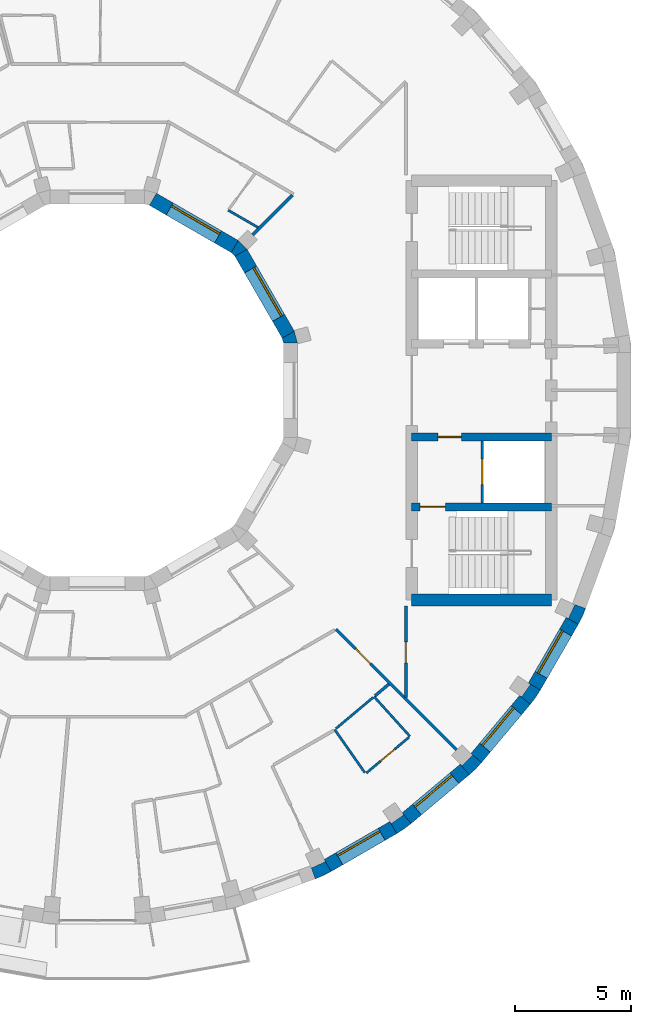
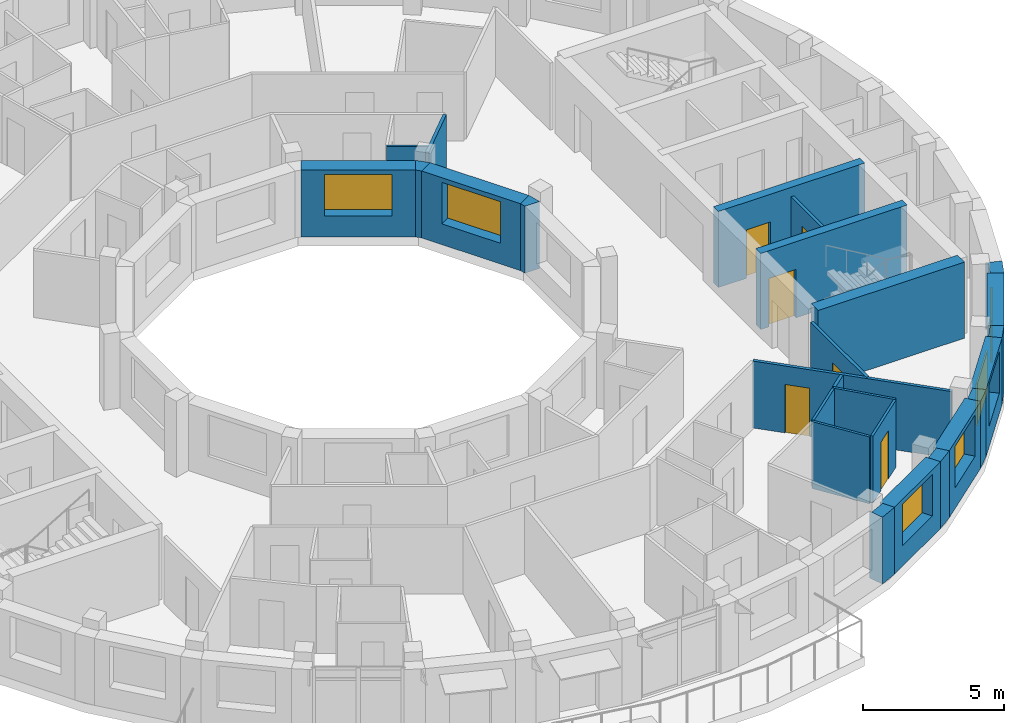
# One storey, part 7 of 12: 26 walls, 6 doors, 6 windows, 12 openings.
"""IFC4 building model written with IfcOpenShell, lengths in metres."""

from ifc_helpers import new_model, si_unit, direction, frame, frame_2d, origin, place, context, subcontext, project, spatial, polyline, rectangle, outline, extrude, material, layer, layer_set, type_object, element, fill, save


model = new_model("IFC4")

# Units and contexts
model_context = context("Model", 3, precision=1e-05, world=origin(), true_north=direction((0.0, 1.0)))
body_context = subcontext(model_context, "Body", "Model", "MODEL_VIEW")
ifc_project = project(units=[si_unit("LENGTHUNIT", "METRE"), si_unit("AREAUNIT", "SQUARE_METRE"), si_unit("VOLUMEUNIT", "CUBIC_METRE"), si_unit("PLANEANGLEUNIT", "RADIAN"), si_unit("MASSUNIT", "GRAM", prefix="KILO")], contexts=[model_context])

# Site, building, storey
site_placement = place(None, origin())
site = spatial("IfcSite", under=ifc_project, at=site_placement, CompositionType="ELEMENT")
building_placement = place(site_placement, origin())
building = spatial("IfcBuilding", under=site, at=building_placement, Name="Saqina Gate Tower", CompositionType="ELEMENT")
storey_placement = place(building_placement, frame((0.0, 0.0, 272.60009765625)))
storey = spatial("IfcBuildingStorey", under=building, at=storey_placement, Name="L78", CompositionType="ELEMENT", Elevation=272.60009765625)

# Walls
ifc_material_1 = material(Name="Brick masonry (buff)", Category="masonry")
wall_type_1 = type_object("IfcWallType", Name="BRICK PIER COPING BUFF", PredefinedType="SOLIDWALL", material=ifc_material_1)
wall_1_placement = place(storey_placement, origin())
element("IfcWall", 1, at=wall_1_placement, inside=storey, type_object=wall_type_1, Name="Pier cap L78 column 30", PredefinedType="SOLIDWALL", context=body_context, shape_type="SweptSolid", body=[
    extrude(outline(polyline([(9.3642578125, -20.974609375), (10.048095703125, -20.65576171875), (9.748291015625, -20.135986328125), (9.79296875, -20.23193359375), (9.203857421875, -20.506591796875), (9.1591796875, -20.410888671875), (9.3642578125, -20.974609375)])), origin(), (0.0, 0.0, 1.0), 2.89990234375),
])
wall_2_placement = place(storey_placement, origin())
element("IfcWall", 2, at=wall_2_placement, inside=storey, type_object=wall_type_1, Name="Pier cap L78 column 31", PredefinedType="SOLIDWALL", context=body_context, shape_type="SweptSolid", body=[
    extrude(outline(polyline([(12.8642578125, -19.02978515625), (13.482421875, -18.59716796875), (13.0966796875, -18.137451171875), (13.157470703125, -18.22412109375), (12.625, -18.596923828125), (12.564208984375, -18.51025390625), (12.8642578125, -19.02978515625)])), origin(), (0.0, 0.0, 1.0), 2.89990234375),
])
wall_3_placement = place(storey_placement, origin())
element("IfcWall", 3, at=wall_3_placement, inside=storey, type_object=wall_type_1, Name="Pier cap L78 column 32", PredefinedType="SOLIDWALL", context=body_context, shape_type="SweptSolid", body=[
    extrude(outline(polyline([(16.5068359375, -15.973388671875), (16.04736328125, -15.587646484375), (16.1220703125, -15.662353515625), (15.662353515625, -16.1220703125), (15.587646484375, -16.04736328125), (15.973388671875, -16.5068359375), (16.5068359375, -15.973388671875)])), origin(), (0.0, 0.0, 1.0), 2.89990234375),
])
wall_4_placement = place(storey_placement, origin())
element("IfcWall", 4, at=wall_4_placement, inside=storey, type_object=wall_type_1, Name="Pier cap L78 column 33", PredefinedType="SOLIDWALL", context=body_context, shape_type="SweptSolid", body=[
    extrude(outline(polyline([(19.02978515625, -12.8642578125), (18.51025390625, -12.564208984375), (18.596923828125, -12.625), (18.22412109375, -13.157470703125), (18.137451171875, -13.0966796875), (18.59716796875, -13.482421875), (19.02978515625, -12.8642578125)])), origin(), (0.0, 0.0, 1.0), 2.89990234375),
])
wall_5_placement = place(storey_placement, origin())
element("IfcWall", 5, at=wall_5_placement, inside=storey, type_object=wall_type_1, Name="Pier cap L78 column 34", PredefinedType="SOLIDWALL", context=body_context, shape_type="SweptSolid", body=[
    extrude(outline(polyline([(20.65576171875, -10.048095703125), (20.974609375, -9.3642578125), (20.410888671875, -9.1591796875), (20.506591796875, -9.203857421875), (20.23193359375, -9.79296875), (20.135986328125, -9.748291015625), (20.65576171875, -10.048095703125)])), origin(), (0.0, 0.0, 1.0), 2.89990234375),
])

# Wall, opening, window
ifc_material_2 = material(Name="Brick masonry (buff)", Category="masonry")
ifc_layer_1 = layer(ifc_material_2, 0.60009765625)
ifc_layer_set_1 = layer_set([ifc_layer_1], Name="FW-BRICK-BUFF")
wall_type_2 = type_object("IfcWallType", Name="FW-BRICK-BUFF", PredefinedType="SOLIDWALL", material=ifc_layer_set_1)
wall_6_placement = place(storey_placement, frame((9.898193359375, -20.39599609375, 0.0), z_axis=(0.0, 0.0, 1.0), x_axis=(0.866016800201, 0.500014901547, 0.0)))
wall_6 = element("IfcWall", 6, at=wall_6_placement, inside=storey, type_object=wall_type_2, Name="Facade wall L78 facet 30", PredefinedType="SOLIDWALL", context=body_context, shape_type="SweptSolid", body=[
    extrude(rectangle(XDim=3.251953125, YDim=0.60009765625, at=frame_2d((1.6259765625, 0.0))), origin(), (0.0, 0.0, 1.0), 2.89990234375),
])
opening_1_placement = place(wall_6_placement, frame((0.57568359375, 0.0, 0.89990234375)))
opening_1 = element("IfcOpeningElement", 7, at=opening_1_placement, cuts=wall_6, Name="Opening G23-W19", PredefinedType="OPENING", context=body_context, shape_type="SweptSolid", body=[
    extrude(rectangle(XDim=2.10009765625, YDim=1.800048828125, at=frame_2d((1.050048828125, 0.89990234375))), frame((0.0, 0.31201171875, 0.0), z_axis=(0.0, -1.0, 0.0), x_axis=(1.0, 0.0, 0.0)), (0.0, 0.0, 1.0), 0.6240234375),
])
ifc_material_3 = material(Name="Aluminium glazing", Category="aluminium")
window_type_1 = type_object("IfcWindowType", Name="WN-D", PartitioningType="SINGLE_PANEL", PredefinedType="WINDOW", material=ifc_material_3)
window_1_placement = place(opening_1_placement, origin())
window_1 = element("IfcWindow", 8, at=window_1_placement, inside=storey, type_object=window_type_1, Name="Window L78 facet 30", OverallHeight=1.800048828125, OverallWidth=2.10009765625, PartitioningType="SINGLE_PANEL", PredefinedType="WINDOW", context=body_context, shape_type="SweptSolid", body=[
    extrude(rectangle(XDim=2.10009765625, YDim=1.800048828125, at=frame_2d((1.050048828125, 0.89990234375))), frame((0.0, 0.179931640625, 0.0), z_axis=(0.0, -1.0, 0.0), x_axis=(1.0, 0.0, 0.0)), (0.0, 0.0, 1.0), 0.06005859375),
])
fill(opening_1, window_1)

wall_7_placement = place(storey_placement, frame((13.28955078125, -18.3671875, 0.0), z_axis=(0.0, 0.0, 1.0), x_axis=(0.766056773982, 0.64277291405, 0.0)))
wall_7 = element("IfcWall", 9, at=wall_7_placement, inside=storey, type_object=wall_type_2, Name="Facade wall L78 facet 31", PredefinedType="SOLIDWALL", context=body_context, shape_type="SweptSolid", body=[
    extrude(rectangle(XDim=3.251708984375, YDim=0.60009765625, at=frame_2d((1.6259765625, 0.0))), origin(), (0.0, 0.0, 1.0), 2.89990234375),
])
opening_2_placement = place(wall_7_placement, frame((0.57568359375, 0.0, 0.89990234375)))
opening_2 = element("IfcOpeningElement", 10, at=opening_2_placement, cuts=wall_7, Name="Opening G23-W20", PredefinedType="OPENING", context=body_context, shape_type="SweptSolid", body=[
    extrude(rectangle(XDim=2.10009765625, YDim=1.800048828125, at=frame_2d((1.050048828125, 0.89990234375))), frame((0.0, 0.31201171875, 0.0), z_axis=(0.0, -1.0, 0.0), x_axis=(1.0, 0.0, 0.0)), (0.0, 0.0, 1.0), 0.6240234375),
])
window_2_placement = place(opening_2_placement, origin())
window_2 = element("IfcWindow", 11, at=window_2_placement, inside=storey, type_object=window_type_1, Name="Window L78 facet 31", OverallHeight=1.800048828125, OverallWidth=2.10009765625, PartitioningType="SINGLE_PANEL", PredefinedType="WINDOW", context=body_context, shape_type="SweptSolid", body=[
    extrude(rectangle(XDim=2.10009765625, YDim=1.800048828125, at=frame_2d((1.050048828125, 0.89990234375))), frame((0.0, 0.179931640625, 0.0), z_axis=(0.0, -1.0, 0.0), x_axis=(1.0, 0.0, 0.0)), (0.0, 0.0, 1.0), 0.06005859375),
])
fill(opening_2, window_2)

wall_8_placement = place(storey_placement, frame((16.277099609375, -15.780517578125, 0.0), z_axis=(0.0, 0.0, 1.0), x_axis=(0.64277291405, 0.766056773982, 0.0)))
wall_8 = element("IfcWall", 12, at=wall_8_placement, inside=storey, type_object=wall_type_2, Name="Facade wall L78 facet 32", PredefinedType="SOLIDWALL", context=body_context, shape_type="SweptSolid", body=[
    extrude(rectangle(XDim=3.251708984375, YDim=0.60009765625, at=frame_2d((1.6259765625, 0.0))), origin(), (0.0, 0.0, 1.0), 2.89990234375),
])
opening_3_placement = place(wall_8_placement, frame((0.57568359375, 0.0, 0.89990234375)))
opening_3 = element("IfcOpeningElement", 13, at=opening_3_placement, cuts=wall_8, Name="Opening G23-W21", PredefinedType="OPENING", context=body_context, shape_type="SweptSolid", body=[
    extrude(rectangle(XDim=2.10009765625, YDim=1.800048828125, at=frame_2d((1.050048828125, 0.89990234375))), frame((0.0, 0.31201171875, 0.0), z_axis=(0.0, -1.0, 0.0), x_axis=(1.0, 0.0, 0.0)), (0.0, 0.0, 1.0), 0.6240234375),
])
window_3_placement = place(opening_3_placement, origin())
window_3 = element("IfcWindow", 14, at=window_3_placement, inside=storey, type_object=window_type_1, Name="Window L78 facet 32", OverallHeight=1.800048828125, OverallWidth=2.10009765625, PartitioningType="SINGLE_PANEL", PredefinedType="WINDOW", context=body_context, shape_type="SweptSolid", body=[
    extrude(rectangle(XDim=2.10009765625, YDim=1.800048828125, at=frame_2d((1.050048828125, 0.89990234375))), frame((0.0, 0.179931640625, 0.0), z_axis=(0.0, -1.0, 0.0), x_axis=(1.0, 0.0, 0.0)), (0.0, 0.0, 1.0), 0.06005859375),
])
fill(opening_3, window_3)

wall_9_placement = place(storey_placement, frame((18.77001953125, -12.71435546875, 0.0), z_axis=(0.0, 0.0, 1.0), x_axis=(0.500014901547, 0.866016800201, 0.0)))
wall_9 = element("IfcWall", 15, at=wall_9_placement, inside=storey, type_object=wall_type_2, Name="Facade wall L78 facet 33", PredefinedType="SOLIDWALL", context=body_context, shape_type="SweptSolid", body=[
    extrude(rectangle(XDim=3.251953125, YDim=0.60009765625, at=frame_2d((1.6259765625, 0.0))), origin(), (0.0, 0.0, 1.0), 2.89990234375),
])
opening_4_placement = place(wall_9_placement, frame((0.57568359375, 0.0, 0.89990234375)))
opening_4 = element("IfcOpeningElement", 16, at=opening_4_placement, cuts=wall_9, Name="Opening G23-W22", PredefinedType="OPENING", context=body_context, shape_type="SweptSolid", body=[
    extrude(rectangle(XDim=2.10009765625, YDim=1.800048828125, at=frame_2d((1.050048828125, 0.89990234375))), frame((0.0, 0.31201171875, 0.0), z_axis=(0.0, -1.0, 0.0), x_axis=(1.0, 0.0, 0.0)), (0.0, 0.0, 1.0), 0.6240234375),
])
window_4_placement = place(opening_4_placement, origin())
window_4 = element("IfcWindow", 17, at=window_4_placement, inside=storey, type_object=window_type_1, Name="Window L78 facet 33", OverallHeight=1.800048828125, OverallWidth=2.10009765625, PartitioningType="SINGLE_PANEL", PredefinedType="WINDOW", context=body_context, shape_type="SweptSolid", body=[
    extrude(rectangle(XDim=2.10009765625, YDim=1.800048828125, at=frame_2d((1.050048828125, 0.89990234375))), frame((0.0, 0.179931640625, 0.0), z_axis=(0.0, -1.0, 0.0), x_axis=(1.0, 0.0, 0.0)), (0.0, 0.0, 1.0), 0.06005859375),
])
fill(opening_4, window_4)

ifc_material_4 = material(Name="Glazed ceramic tile", Category="ceramic")
ifc_layer_2 = layer(ifc_material_4, 0.60009765625)
ifc_layer_set_2 = layer_set([ifc_layer_2], Name="IW-TILE")
wall_type_3 = type_object("IfcWallType", Name="IW-TILE", PredefinedType="SOLIDWALL", material=ifc_layer_set_2)
wall_10_placement = place(storey_placement, frame((8.20263671875, 2.392578125, 0.0), z_axis=(0.0, 0.0, 1.0), x_axis=(-0.499994954979, 0.866028316509, 0.0)))
wall_10 = element("IfcWall", 18, at=wall_10_placement, inside=storey, type_object=wall_type_3, Name="Well wall L78 facet 1", PredefinedType="SOLIDWALL", context=body_context, shape_type="SweptSolid", body=[
    extrude(rectangle(XDim=4.05859375, YDim=0.60009765625, at=frame_2d((2.029296875, 0.0))), origin(), (0.0, 0.0, 1.0), 2.89990234375),
])
opening_5_placement = place(wall_10_placement, frame((0.829345703125, 0.0, 0.89990234375)))
opening_5 = element("IfcOpeningElement", 19, at=opening_5_placement, cuts=wall_10, Name="Opening G23-W23", PredefinedType="OPENING", context=body_context, shape_type="SweptSolid", body=[
    extrude(rectangle(XDim=2.39990234375, YDim=1.800048828125, at=frame_2d((1.199951171875, 0.89990234375))), frame((0.0, 0.31201171875, 0.0), z_axis=(0.0, -1.0, 0.0), x_axis=(1.0, 0.0, 0.0)), (0.0, 0.0, 1.0), 0.6240234375),
])
ifc_material_5 = material(Name="Aluminium glazing", Category="aluminium")
window_type_2 = type_object("IfcWindowType", Name="WN-W", PartitioningType="SINGLE_PANEL", PredefinedType="WINDOW", material=ifc_material_5)
window_5_placement = place(opening_5_placement, origin())
window_5 = element("IfcWindow", 20, at=window_5_placement, inside=storey, type_object=window_type_2, Name="Well window L78 facet 1", OverallHeight=1.800048828125, OverallWidth=2.39990234375, PartitioningType="SINGLE_PANEL", PredefinedType="WINDOW", context=body_context, shape_type="SweptSolid", body=[
    extrude(rectangle(XDim=2.39990234375, YDim=1.800048828125, at=frame_2d((1.199951171875, 0.89990234375))), frame((0.0, -0.119873046875, 0.0), z_axis=(0.0, -1.0, 0.0), x_axis=(1.0, 0.0, 0.0)), (0.0, 0.0, 1.0), 0.06005859375),
])
fill(opening_5, window_5)

wall_11_placement = place(storey_placement, frame((5.907470703125, 6.17333984375, 0.0), z_axis=(0.0, 0.0, 1.0), x_axis=(-0.866028316509, 0.499994954979, 0.0)))
wall_11 = element("IfcWall", 21, at=wall_11_placement, inside=storey, type_object=wall_type_3, Name="Well wall L78 facet 2", PredefinedType="SOLIDWALL", context=body_context, shape_type="SweptSolid", body=[
    extrude(rectangle(XDim=4.05859375, YDim=0.60009765625, at=frame_2d((2.029296875, 0.0))), origin(), (0.0, 0.0, 1.0), 2.89990234375),
])
opening_6_placement = place(wall_11_placement, frame((0.829345703125, 0.0, 0.89990234375)))
opening_6 = element("IfcOpeningElement", 22, at=opening_6_placement, cuts=wall_11, Name="Opening G23-W24", PredefinedType="OPENING", context=body_context, shape_type="SweptSolid", body=[
    extrude(rectangle(XDim=2.39990234375, YDim=1.800048828125, at=frame_2d((1.199951171875, 0.89990234375))), frame((0.0, 0.31201171875, 0.0), z_axis=(0.0, -1.0, 0.0), x_axis=(1.0, 0.0, 0.0)), (0.0, 0.0, 1.0), 0.6240234375),
])
window_6_placement = place(opening_6_placement, origin())
window_6 = element("IfcWindow", 23, at=window_6_placement, inside=storey, type_object=window_type_2, Name="Well window L78 facet 2", OverallHeight=1.800048828125, OverallWidth=2.39990234375, PartitioningType="SINGLE_PANEL", PredefinedType="WINDOW", context=body_context, shape_type="SweptSolid", body=[
    extrude(rectangle(XDim=2.39990234375, YDim=1.800048828125, at=frame_2d((1.199951171875, 0.89990234375))), frame((0.0, -0.119873046875, 0.0), z_axis=(0.0, -1.0, 0.0), x_axis=(1.0, 0.0, 0.0)), (0.0, 0.0, 1.0), 0.06005859375),
])
fill(opening_6, window_6)

# Walls
ifc_material_6 = material(Name="Gypsum board on steel studs, 100 mm", Category="steel")
ifc_layer_3 = layer(ifc_material_6, 0.10009765625)
ifc_layer_set_3 = layer_set([ifc_layer_3], Name="PARTITION 100")
wall_type_4 = type_object("IfcWallType", Name="PARTITION 100", PredefinedType="PARTITIONING", material=ifc_layer_set_3)
wall_12_placement = place(storey_placement, frame((10.199462890625, -14.56689453125, 0.0), z_axis=(0.0, 0.0, 1.0), x_axis=(0.573796659147, -0.818997798503, 0.0)))
element("IfcWall", 24, at=wall_12_placement, inside=storey, type_object=wall_type_4, Name="PARTITION PW3-12", PredefinedType="PARTITIONING", context=body_context, shape_type="SweptSolid", body=[
    extrude(rectangle(XDim=2.254150390625, YDim=0.10009765625, at=frame_2d((1.126953125, 0.0))), origin(), (0.0, 0.0, 1.0), 2.89990234375),
])
wall_13_placement = place(storey_placement, frame((11.886962890625, -13.14794921875, 0.0), z_axis=(0.0, 0.0, 1.0), x_axis=(0.67055763685, -0.741857436211, 0.0)))
element("IfcWall", 25, at=wall_13_placement, inside=storey, type_object=wall_type_4, Name="PARTITION PW3-16", PredefinedType="PARTITIONING", context=body_context, shape_type="SweptSolid", body=[
    extrude(rectangle(XDim=2.301025390625, YDim=0.10009765625, at=frame_2d((1.150390625, 0.0))), origin(), (0.0, 0.0, 1.0), 2.89990234375),
])
wall_14_placement = place(storey_placement, frame((5.6259765625, 7.73291015625, 0.0), z_axis=(0.0, 0.0, 1.0), x_axis=(0.866144391758, -0.499793850129, 0.0)))
element("IfcWall", 26, at=wall_14_placement, inside=storey, type_object=wall_type_4, Name="PARTITION PW3-22", PredefinedType="PARTITIONING", context=body_context, shape_type="SweptSolid", body=[
    extrude(rectangle(XDim=1.47998046875, YDim=0.10009765625, at=frame_2d((0.739990234375, 0.0))), origin(), (0.0, 0.0, 1.0), 2.89990234375),
])

# Wall, opening, door
wall_15_placement = place(storey_placement, frame((11.561279296875, -16.423828125, 0.0), z_axis=(0.0, 0.0, 1.0), x_axis=(0.765894211942, 0.642966605753, 0.0)))
wall_15 = element("IfcWall", 27, at=wall_15_placement, inside=storey, type_object=wall_type_4, Name="PARTITION PW3-37", PredefinedType="PARTITIONING", context=body_context, shape_type="SweptSolid", body=[
    extrude(rectangle(XDim=2.38720703125, YDim=0.10009765625, at=frame_2d((1.193603515625, 0.0))), origin(), (0.0, 0.0, 1.0), 2.89990234375),
])
opening_7_placement = place(wall_15_placement, frame((0.794189453125, 0.0, 0.0)))
opening_7 = element("IfcOpeningElement", 28, at=opening_7_placement, cuts=wall_15, Name="Opening G23-D39", PredefinedType="OPENING", context=body_context, shape_type="SweptSolid", body=[
    extrude(rectangle(XDim=0.800048828125, YDim=2.10009765625, at=frame_2d((0.39990234375, 1.050048828125))), frame((0.0, 0.06201171875, 0.0), z_axis=(0.0, -1.0, 0.0), x_axis=(1.0, 0.0, 0.0)), (0.0, 0.0, 1.0), 0.1240234375),
])
ifc_material_7 = material(Name="Timber door leaf, 800 mm", Category="wood")
door_type_1 = type_object("IfcDoorType", Name="DOOR 800 TIMBER", OperationType="SINGLE_SWING_LEFT", PredefinedType="DOOR", material=ifc_material_7)
door_1_placement = place(opening_7_placement, frame((0.800048828125, 0.0, 0.0), z_axis=(0.0, 0.0, 1.0), x_axis=(-1.0, 0.0, 0.0)))
door_1 = element("IfcDoor", 29, at=door_1_placement, inside=storey, type_object=door_type_1, Name="DOOR G23-D39", OperationType="SINGLE_SWING_LEFT", OverallHeight=2.10009765625, OverallWidth=0.800048828125, PredefinedType="DOOR", context=body_context, shape_type="SweptSolid", body=[
    extrude(rectangle(XDim=0.800048828125, YDim=2.10009765625, at=frame_2d((0.39990234375, 1.050048828125))), frame((0.0, 0.02490234375, 0.0), z_axis=(0.0, -1.0, 0.0), x_axis=(1.0, 0.0, 0.0)), (0.0, 0.0, 1.0), 0.050048828125),
])
fill(opening_7, door_1)

# Wall
wall_16_placement = place(storey_placement, frame((10.245849609375, -14.52490234375, 0.0), z_axis=(0.0, 0.0, 1.0), x_axis=(0.766084035901, 0.642740421895, 0.0)))
element("IfcWall", 30, at=wall_16_placement, inside=storey, type_object=wall_type_4, Name="PARTITION PW3-38", PredefinedType="PARTITIONING", context=body_context, shape_type="SweptSolid", body=[
    extrude(rectangle(XDim=2.09228515625, YDim=0.10009765625, at=frame_2d((1.046142578125, 0.0))), origin(), (0.0, 0.0, 1.0), 2.89990234375),
])

# Wall, opening, door
ifc_material_8 = material(Name="Gypsum board on steel studs, 125 mm, fire rated", Category="steel")
ifc_layer_4 = layer(ifc_material_8, 0.125)
ifc_layer_set_4 = layer_set([ifc_layer_4], Name="PARTITION EI 30 125")
wall_type_5 = type_object("IfcWallType", Name="PARTITION EI 30 125", PredefinedType="PARTITIONING", material=ifc_layer_set_4)
wall_17_placement = place(storey_placement, frame((10.256103515625, -10.256103515625, 0.0), z_axis=(0.0, 0.0, 1.0), x_axis=(0.707106781187, -0.707106781187, 0.0)))
wall_17 = element("IfcWall", 31, at=wall_17_placement, inside=storey, type_object=wall_type_5, Name="PARTITION PW1-10", PredefinedType="PARTITIONING", context=body_context, shape_type="SweptSolid", body=[
    extrude(rectangle(XDim=7.310791015625, YDim=0.125, at=frame_2d((3.6552734375, 0.0))), origin(), (0.0, 0.0, 1.0), 2.89990234375),
])
opening_8_placement = place(wall_17_placement, frame((1.187744140625, 0.0, 0.0)))
opening_8 = element("IfcOpeningElement", 32, at=opening_8_placement, cuts=wall_17, Name="Opening G23-D40", PredefinedType="OPENING", context=body_context, shape_type="SweptSolid", body=[
    extrude(rectangle(XDim=0.89990234375, YDim=2.10009765625, at=frame_2d((0.449951171875, 1.050048828125))), frame((0.0, 0.074462890625, 0.0), z_axis=(0.0, -1.0, 0.0), x_axis=(1.0, 0.0, 0.0)), (0.0, 0.0, 1.0), 0.14892578125),
])
ifc_material_9 = material(Name="Fire door leaf EI 30, 900 mm")
door_type_2 = type_object("IfcDoorType", Name="DOOR 900 EI 30", OperationType="SINGLE_SWING_LEFT", PredefinedType="DOOR", material=ifc_material_9)
door_2_placement = place(opening_8_placement, frame((0.89990234375, 0.0, 0.0), z_axis=(0.0, 0.0, 1.0), x_axis=(-1.0, 0.0, 0.0)))
door_2 = element("IfcDoor", 33, at=door_2_placement, inside=storey, type_object=door_type_2, Name="DOOR G23-D40", OperationType="SINGLE_SWING_RIGHT", OverallHeight=2.10009765625, OverallWidth=0.89990234375, PredefinedType="DOOR", context=body_context, shape_type="SweptSolid", body=[
    extrude(rectangle(XDim=0.89990234375, YDim=2.10009765625, at=frame_2d((0.449951171875, 1.050048828125))), frame((0.0, 0.02490234375, 0.0), z_axis=(0.0, -1.0, 0.0), x_axis=(1.0, 0.0, 0.0)), (0.0, 0.0, 1.0), 0.050048828125),
])
fill(opening_8, door_2)

# Walls
wall_18_placement = place(storey_placement, frame((11.92626953125, -13.114990234375, 0.0), z_axis=(0.0, 0.0, 1.0), x_axis=(0.765365590348, 0.643595768407, 0.0)))
element("IfcWall", 34, at=wall_18_placement, inside=storey, type_object=wall_type_5, Name="PARTITION PW1-30", PredefinedType="PARTITIONING", context=body_context, shape_type="SweptSolid", body=[
    extrude(rectangle(XDim=0.780029296875, YDim=0.125, at=frame_2d((0.39013671875, 0.0))), origin(), (0.0, 0.0, 1.0), 2.89990234375),
])
wall_19_placement = place(storey_placement, frame((6.6767578125, 6.6767578125, 0.0), z_axis=(0.0, 0.0, 1.0), x_axis=(0.707106781187, 0.707106781187, 0.0)))
element("IfcWall", 35, at=wall_19_placement, inside=storey, type_object=wall_type_5, Name="PARTITION PW1-34", PredefinedType="PARTITIONING", context=body_context, shape_type="SweptSolid", body=[
    extrude(rectangle(XDim=2.411376953125, YDim=0.125, at=frame_2d((1.20556640625, 0.0))), origin(), (0.0, 0.0, 1.0), 2.89990234375),
])

# Wall, opening, door
wall_20_placement = place(storey_placement, frame((13.25, -13.1875, 0.0), z_axis=(0.0, 0.0, 1.0), x_axis=(0.0, 1.0, 0.0)))
wall_20 = element("IfcWall", 36, at=wall_20_placement, inside=storey, type_object=wall_type_5, Name="PARTITION PW1-39", PredefinedType="PARTITIONING", context=body_context, shape_type="SweptSolid", body=[
    extrude(rectangle(XDim=3.9375, YDim=0.125, at=frame_2d((1.96875, 0.0))), origin(), (0.0, 0.0, 1.0), 2.89990234375),
])
opening_9_placement = place(wall_20_placement, frame((1.487548828125, 0.0, 0.0)))
opening_9 = element("IfcOpeningElement", 37, at=opening_9_placement, cuts=wall_20, Name="Opening G23-D41", PredefinedType="OPENING", context=body_context, shape_type="SweptSolid", body=[
    extrude(rectangle(XDim=0.89990234375, YDim=2.10009765625, at=frame_2d((0.449951171875, 1.050048828125))), frame((0.0, 0.074462890625, 0.0), z_axis=(0.0, -1.0, 0.0), x_axis=(1.0, 0.0, 0.0)), (0.0, 0.0, 1.0), 0.14892578125),
])
door_3_placement = place(opening_9_placement, frame((0.89990234375, 0.0, 0.0), z_axis=(0.0, 0.0, 1.0), x_axis=(-1.0, 0.0, 0.0)))
door_3 = element("IfcDoor", 38, at=door_3_placement, inside=storey, type_object=door_type_2, Name="DOOR G23-D41", OperationType="SINGLE_SWING_RIGHT", OverallHeight=2.10009765625, OverallWidth=0.89990234375, PredefinedType="DOOR", context=body_context, shape_type="SweptSolid", body=[
    extrude(rectangle(XDim=0.89990234375, YDim=2.10009765625, at=frame_2d((0.449951171875, 1.050048828125))), frame((0.0, 0.02490234375, 0.0), z_axis=(0.0, -1.0, 0.0), x_axis=(1.0, 0.0, 0.0)), (0.0, 0.0, 1.0), 0.050048828125),
])
fill(opening_9, door_3)

ifc_material_10 = material(Name="Autoclaved aerated concrete block", Category="concrete")
ifc_layer_5 = layer(ifc_material_10, 0.1201171875)
ifc_layer_set_5 = layer_set([ifc_layer_5], Name="SHAFT PARTITION")
wall_type_6 = type_object("IfcWallType", Name="SHAFT PARTITION", PredefinedType="PARTITIONING", material=ifc_layer_set_5)
wall_21_placement = place(storey_placement, frame((16.530029296875, -4.824951171875, 0.0), z_axis=(0.0, 0.0, 1.0), x_axis=(0.0, 1.0, 0.0)))
wall_21 = element("IfcWall", 39, at=wall_21_placement, inside=storey, type_object=wall_type_6, Name="L78-CP-E09", PredefinedType="PARTITIONING", context=body_context, shape_type="SweptSolid", body=[
    extrude(rectangle(XDim=2.64990234375, YDim=0.1201171875, at=frame_2d((1.324951171875, 0.0))), origin(), (0.0, 0.0, 1.0), 2.89990234375),
])
opening_10_placement = place(wall_21_placement, frame((0.77490234375, 0.0, 0.0)))
opening_10 = element("IfcOpeningElement", 40, at=opening_10_placement, cuts=wall_21, Name="Opening G23-LD3", PredefinedType="OPENING", context=body_context, shape_type="SweptSolid", body=[
    extrude(rectangle(XDim=1.10009765625, YDim=2.10009765625, at=frame_2d((0.550048828125, 1.050048828125))), frame((0.0, 0.072021484375, 0.0), z_axis=(0.0, -1.0, 0.0), x_axis=(1.0, 0.0, 0.0)), (0.0, 0.0, 1.0), 0.14404296875),
])
ifc_material_11 = material(Name="Stainless steel", Category="steel")
door_type_3 = type_object("IfcDoorType", Name="LANDING DOOR", OperationType="DOUBLE_DOOR_SLIDING", PredefinedType="DOOR", material=ifc_material_11)
door_4_placement = place(opening_10_placement, origin())
door_4 = element("IfcDoor", 41, at=door_4_placement, inside=storey, type_object=door_type_3, Name="LANDING DOOR FF1", OperationType="DOUBLE_DOOR_SLIDING", OverallHeight=2.10009765625, OverallWidth=1.10009765625, PredefinedType="DOOR", context=body_context, shape_type="SweptSolid", body=[
    extrude(rectangle(XDim=1.10009765625, YDim=2.10009765625, at=frame_2d((0.550048828125, 1.050048828125))), frame((0.0, 0.02490234375, 0.0), z_axis=(0.0, -1.0, 0.0), x_axis=(1.0, 0.0, 0.0)), (0.0, 0.0, 1.0), 0.050048828125),
])
fill(opening_10, door_4)

ifc_material_12 = material(Name="Concrete C60/75", Category="concrete")
ifc_layer_6 = layer(ifc_material_12, 0.35009765625)
ifc_layer_set_6 = layer_set([ifc_layer_6], Name="Concrete C60/75")
wall_type_7 = type_object("IfcWallType", Name="STR-CORE WALL-D-I", PredefinedType="SHEAR", material=ifc_layer_set_6)
wall_22_placement = place(storey_placement, frame((13.5, -5.0, 0.0), z_axis=(0.0, 0.0, 1.0), x_axis=(1.0, 0.0, 0.0)))
wall_22 = element("IfcWall", 42, at=wall_22_placement, inside=storey, type_object=wall_type_7, Name="CORE WALL L78 E-X2", PredefinedType="SHEAR", context=body_context, shape_type="SweptSolid", body=[
    extrude(rectangle(XDim=6.0, YDim=0.35009765625, at=frame_2d((3.0, 0.0))), origin(), (0.0, 0.0, 1.0), 3.2998046875),
])
opening_11_placement = place(wall_22_placement, frame((0.35009765625, 0.0, 0.0)))
opening_11 = element("IfcOpeningElement", 43, at=opening_11_placement, cuts=wall_22, Name="Opening G23-D97", PredefinedType="OPENING", context=body_context, shape_type="SweptSolid", body=[
    extrude(rectangle(XDim=1.10009765625, YDim=2.10009765625, at=frame_2d((0.550048828125, 1.050048828125))), frame((0.0, 0.18701171875, 0.0), z_axis=(0.0, -1.0, 0.0), x_axis=(1.0, 0.0, 0.0)), (0.0, 0.0, 1.0), 0.3740234375),
])
ifc_material_13 = material(Name="Steel", Category="steel")
door_type_4 = type_object("IfcDoorType", Name="FIRE LOBBY DOOR EI 60 WIDE", OperationType="SINGLE_SWING_LEFT", PredefinedType="DOOR", material=ifc_material_13)
door_5_placement = place(opening_11_placement, frame((1.10009765625, 0.0, 0.0), z_axis=(0.0, 0.0, 1.0), x_axis=(-1.0, 0.0, 0.0)))
door_5 = element("IfcDoor", 44, at=door_5_placement, inside=storey, type_object=door_type_4, Name="L78-CD-E08", OperationType="SINGLE_SWING_RIGHT", OverallHeight=2.10009765625, OverallWidth=1.10009765625, PredefinedType="DOOR", context=body_context, shape_type="SweptSolid", body=[
    extrude(rectangle(XDim=1.10009765625, YDim=2.10009765625, at=frame_2d((0.550048828125, 1.050048828125))), frame((0.0, 0.02490234375, 0.0), z_axis=(0.0, -1.0, 0.0), x_axis=(1.0, 0.0, 0.0)), (0.0, 0.0, 1.0), 0.050048828125),
])
fill(opening_11, door_5)

wall_23_placement = place(storey_placement, frame((13.5, -2.0, 0.0), z_axis=(0.0, 0.0, 1.0), x_axis=(1.0, 0.0, 0.0)))
wall_23 = element("IfcWall", 45, at=wall_23_placement, inside=storey, type_object=wall_type_7, Name="CORE WALL L78 E-L2", PredefinedType="SHEAR", context=body_context, shape_type="SweptSolid", body=[
    extrude(rectangle(XDim=6.0, YDim=0.35009765625, at=frame_2d((3.0, 0.0))), origin(), (0.0, 0.0, 1.0), 3.2998046875),
])
opening_12_placement = place(wall_23_placement, frame((1.139892578125, 0.0, 0.0)))
opening_12 = element("IfcOpeningElement", 46, at=opening_12_placement, cuts=wall_23, Name="Opening G23-D91", PredefinedType="OPENING", context=body_context, shape_type="SweptSolid", body=[
    extrude(rectangle(XDim=1.0, YDim=2.10009765625, at=frame_2d((0.5, 1.050048828125))), frame((0.0, 0.18701171875, 0.0), z_axis=(0.0, -1.0, 0.0), x_axis=(1.0, 0.0, 0.0)), (0.0, 0.0, 1.0), 0.3740234375),
])
ifc_material_14 = material(Name="Steel", Category="steel")
door_type_5 = type_object("IfcDoorType", Name="FIRE LOBBY DOOR EI 60", OperationType="SINGLE_SWING_LEFT", PredefinedType="DOOR", material=ifc_material_14)
door_6_placement = place(opening_12_placement, origin())
door_6 = element("IfcDoor", 47, at=door_6_placement, inside=storey, type_object=door_type_5, Name="L78-CD-E02", OperationType="SINGLE_SWING_LEFT", OverallHeight=2.10009765625, OverallWidth=1.0, PredefinedType="DOOR", context=body_context, shape_type="SweptSolid", body=[
    extrude(rectangle(XDim=1.0, YDim=2.10009765625, at=frame_2d((0.5, 1.050048828125))), frame((0.0, 0.02490234375, 0.0), z_axis=(0.0, -1.0, 0.0), x_axis=(1.0, 0.0, 0.0)), (0.0, 0.0, 1.0), 0.050048828125),
])
fill(opening_12, door_6)

# Walls
ifc_material_15 = material(Name="Concrete C60/75", Category="concrete")
ifc_layer_7 = layer(ifc_material_15, 0.5)
ifc_layer_set_7 = layer_set([ifc_layer_7], Name="Concrete C60/75")
wall_type_8 = type_object("IfcWallType", Name="STR-CORE WALL-D-O", PredefinedType="SHEAR", material=ifc_layer_set_7)
wall_24_placement = place(storey_placement, frame((13.5, -9.0, 0.0), z_axis=(0.0, 0.0, 1.0), x_axis=(1.0, 0.0, 0.0)))
element("IfcWall", 48, at=wall_24_placement, inside=storey, type_object=wall_type_8, Name="CORE WALL L78 E-SE", PredefinedType="SHEAR", context=body_context, shape_type="SweptSolid", body=[
    extrude(rectangle(XDim=6.0, YDim=0.5, at=frame_2d((3.0, 0.0))), origin(), (0.0, 0.0, 1.0), 3.2998046875),
])
ifc_material_16 = material(Name="Glazed ceramic tile", Category="ceramic")
wall_type_9 = type_object("IfcWallType", Name="TILE PIER COPING", PredefinedType="SOLIDWALL", material=ifc_material_16)
wall_25_placement = place(storey_placement, origin())
element("IfcWall", 49, at=wall_25_placement, inside=storey, type_object=wall_type_9, Name="Well pier cap L78 column 1", PredefinedType="SOLIDWALL", context=body_context, shape_type="SweptSolid", body=[
    extrude(outline(polyline([(8.46240234375, 2.54248046875), (7.94287109375, 2.242431640625), (8.0, 2.029296875), (8.60009765625, 2.029296875), (8.46240234375, 2.54248046875)])), origin(), (0.0, 0.0, 1.0), 2.89990234375),
])
wall_26_placement = place(storey_placement, origin())
element("IfcWall", 50, at=wall_26_placement, inside=storey, type_object=wall_type_9, Name="Well pier cap L78 column 2", PredefinedType="SOLIDWALL", context=body_context, shape_type="SweptSolid", body=[
    extrude(outline(polyline([(6.0576171875, 6.43310546875), (5.757568359375, 5.91357421875), (5.91357421875, 5.757568359375), (6.43310546875, 6.0576171875), (6.0576171875, 6.43310546875)])), origin(), (0.0, 0.0, 1.0), 2.89990234375),
])

save(model, "model.ifc")
